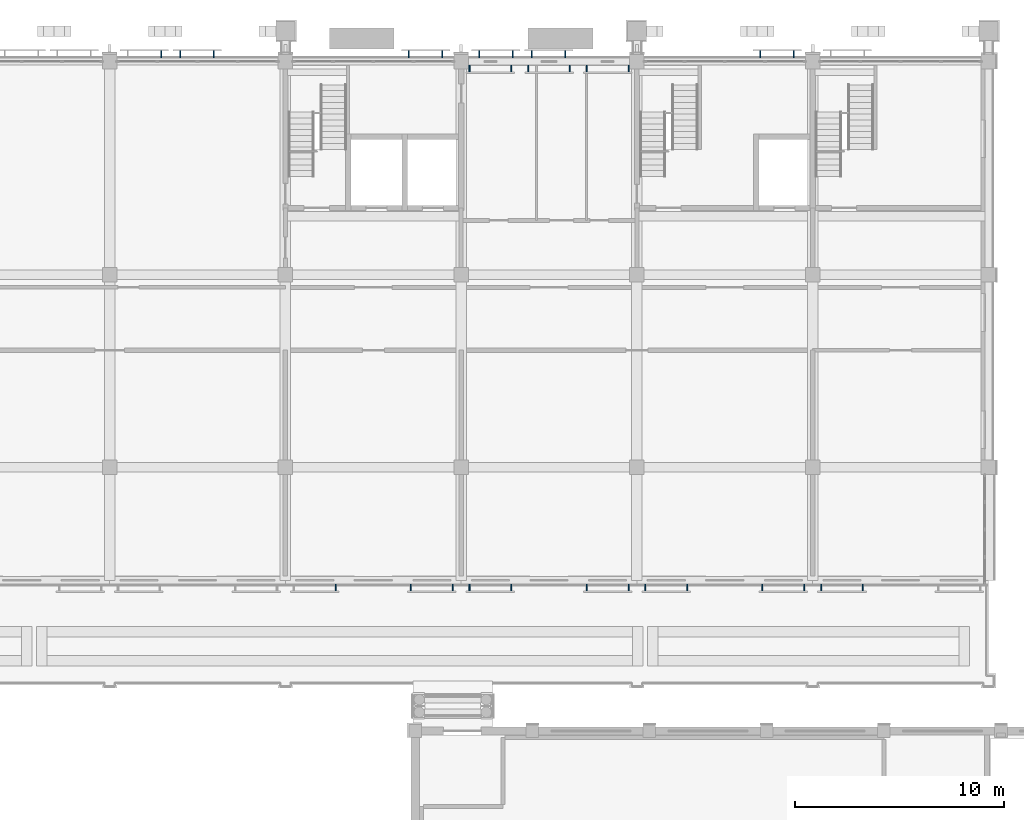
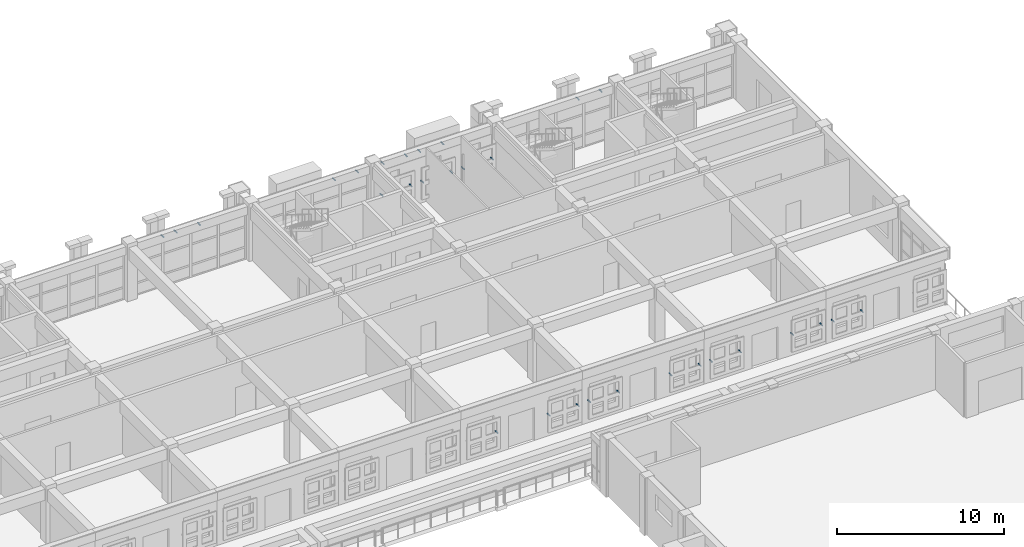
# One storey, part 81 of 99: 30 discrete accessories.
"""IFC4 building model written with IfcOpenShell, lengths in metres."""

from ifc_helpers import new_model, si_unit, direction, frame, origin, origin_2d, place, context, subcontext, project, spatial, rectangle, extrude, material, type_object, element, save


model = new_model("IFC4")

# Units and contexts
model_context = context("Model", 3, precision=1e-05, world=origin(), true_north=direction((0.0, 1.0)))
body_context = subcontext(model_context, "Body", "Model", "MODEL_VIEW")
ifc_project = project(units=[si_unit("LENGTHUNIT", "METRE"), si_unit("AREAUNIT", "SQUARE_METRE"), si_unit("VOLUMEUNIT", "CUBIC_METRE"), si_unit("PLANEANGLEUNIT", "RADIAN"), si_unit("MASSUNIT", "GRAM", prefix="KILO")], contexts=[model_context])

# Site, building, storey
site_placement = place(None, origin())
site = spatial("IfcSite", under=ifc_project, at=site_placement, CompositionType="ELEMENT")
building_placement = place(site_placement, origin())
building = spatial("IfcBuilding", under=site, at=building_placement, Name="Wasatch Bagh Community Centre", CompositionType="ELEMENT")
storey_placement = place(building_placement, frame((0.0, 0.0, 4.199951171875)))
storey = spatial("IfcBuildingStorey", under=building, at=storey_placement, Name="L01", CompositionType="ELEMENT", Elevation=4.199951171875)

# Discrete accessories
ifc_material = material(Name="Galvanised steel", Category="steel")
discrete_accessory_type = type_object("IfcDiscreteAccessoryType", Name="LW jali bracket", PredefinedType="BRACKET", material=ifc_material)
for number, where, z_axis, x_axis, name in (
    (1, (108.39990234375, 72.659912109375, 1.63525390625), (0.0, 0.0, 1.0), (1.0, 0.0, 0.0), "Jali bracket"),
    (2, (112.0, 72.659912109375, 1.63525390625), (0.0, 0.0, 1.0), (1.0, 0.0, 0.0), "Jali bracket"),
    (3, (114.0, 72.659912109375, 1.63525390625), (0.0, 0.0, 1.0), (1.0, 0.0, 0.0), "Jali bracket"),
    (4, (114.800048828125, 72.659912109375, 1.63525390625), (0.0, 0.0, 1.0), (1.0, 0.0, 0.0), "Jali bracket"),
    (5, (116.800048828125, 72.659912109375, 1.63525390625), (0.0, 0.0, 1.0), (1.0, 0.0, 0.0), "Jali bracket"),
    (6, (120.39990234375, 72.659912109375, 1.63525390625), (0.0, 0.0, 1.0), (1.0, 0.0, 0.0), "Jali bracket"),
    (7, (122.39990234375, 72.659912109375, 1.63525390625), (0.0, 0.0, 1.0), (1.0, 0.0, 0.0), "Jali bracket"),
    (8, (123.199951171875, 72.659912109375, 1.63525390625), (0.0, 0.0, 1.0), (1.0, 0.0, 0.0), "Jali bracket"),
    (9, (125.199951171875, 72.659912109375, 1.63525390625), (0.0, 0.0, 1.0), (1.0, 0.0, 0.0), "Jali bracket"),
    (10, (128.800048828125, 72.659912109375, 1.63525390625), (0.0, 0.0, 1.0), (1.0, 0.0, 0.0), "Jali bracket"),
    (11, (130.800048828125, 72.659912109375, 1.63525390625), (0.0, 0.0, 1.0), (1.0, 0.0, 0.0), "Jali bracket"),
    (12, (131.60009765625, 72.659912109375, 1.63525390625), (0.0, 0.0, 1.0), (1.0, 0.0, 0.0), "Jali bracket"),
    (13, (133.60009765625, 72.659912109375, 1.63525390625), (0.0, 0.0, 1.0), (1.0, 0.0, 0.0), "Jali bracket"),
    (14, (114.800048828125, 97.4599609375, 1.63525390625), (0.0, 0.0, 1.0), (1.0, 0.0, 0.0), "Jali bracket"),
    (15, (116.800048828125, 97.4599609375, 1.63525390625), (0.0, 0.0, 1.0), (1.0, 0.0, 0.0), "Jali bracket"),
    (16, (117.60009765625, 97.4599609375, 1.63525390625), (0.0, 0.0, 1.0), (1.0, 0.0, 0.0), "Jali bracket"),
    (17, (119.60009765625, 97.4599609375, 1.63525390625), (0.0, 0.0, 1.0), (1.0, 0.0, 0.0), "Jali bracket"),
    (18, (120.39990234375, 97.4599609375, 1.63525390625), (0.0, 0.0, 1.0), (1.0, 0.0, 0.0), "Jali bracket"),
    (19, (122.39990234375, 97.4599609375, 1.63525390625), (0.0, 0.0, 1.0), (1.0, 0.0, 0.0), "Jali bracket"),
):
    element("IfcDiscreteAccessory", number, at=place(storey_placement, frame(where, z_axis=z_axis, x_axis=x_axis)), inside=storey, type_object=discrete_accessory_type, Name=name, PredefinedType="BRACKET", context=body_context, shape_type="SweptSolid", body=[
        extrude(rectangle(XDim=0.050048828125, YDim=0.320068359375, at=origin_2d()), origin(), (0.0, 0.0, 1.0), 0.050048828125),
    ])
for number, where, z_axis, x_axis, name in (
    (20, (100.06005859375, 98.137451171875, 3.39501953125), (0.0, 0.0, 1.0), (1.0, 0.0, 0.0), "Jali bracket"),
    (21, (100.97998046875, 98.137451171875, 3.39501953125), (0.0, 0.0, 1.0), (1.0, 0.0, 0.0), "Jali bracket"),
    (22, (102.580078125, 98.137451171875, 3.39501953125), (0.0, 0.0, 1.0), (1.0, 0.0, 0.0), "Jali bracket"),
    (23, (111.89990234375, 98.137451171875, 3.39501953125), (0.0, 0.0, 1.0), (1.0, 0.0, 0.0), "Jali bracket"),
    (24, (113.5, 98.137451171875, 3.39501953125), (0.0, 0.0, 1.0), (1.0, 0.0, 0.0), "Jali bracket"),
    (25, (115.260009765625, 98.137451171875, 3.39501953125), (0.0, 0.0, 1.0), (1.0, 0.0, 0.0), "Jali bracket"),
    (26, (116.860107421875, 98.137451171875, 3.39501953125), (0.0, 0.0, 1.0), (1.0, 0.0, 0.0), "Jali bracket"),
    (27, (117.780029296875, 98.137451171875, 3.39501953125), (0.0, 0.0, 1.0), (1.0, 0.0, 0.0), "Jali bracket"),
    (28, (119.3798828125, 98.137451171875, 3.39501953125), (0.0, 0.0, 1.0), (1.0, 0.0, 0.0), "Jali bracket"),
    (29, (128.699951171875, 98.137451171875, 3.39501953125), (0.0, 0.0, 1.0), (1.0, 0.0, 0.0), "Jali bracket"),
    (30, (130.300048828125, 98.137451171875, 3.39501953125), (0.0, 0.0, 1.0), (1.0, 0.0, 0.0), "Jali bracket"),
):
    element("IfcDiscreteAccessory", number, at=place(storey_placement, frame(where, z_axis=z_axis, x_axis=x_axis)), inside=storey, type_object=discrete_accessory_type, Name=name, PredefinedType="BRACKET", context=body_context, shape_type="SweptSolid", body=[
        extrude(rectangle(XDim=0.050048828125, YDim=0.324951171875, at=origin_2d()), origin(), (0.0, 0.0, 1.0), 0.050048828125),
    ])

save(model, "model.ifc")
